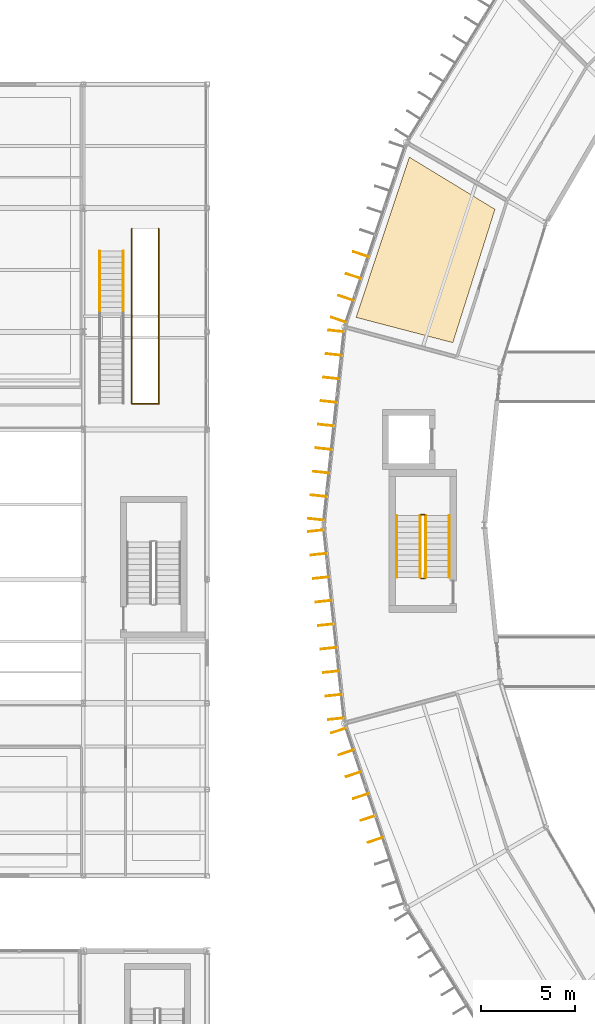
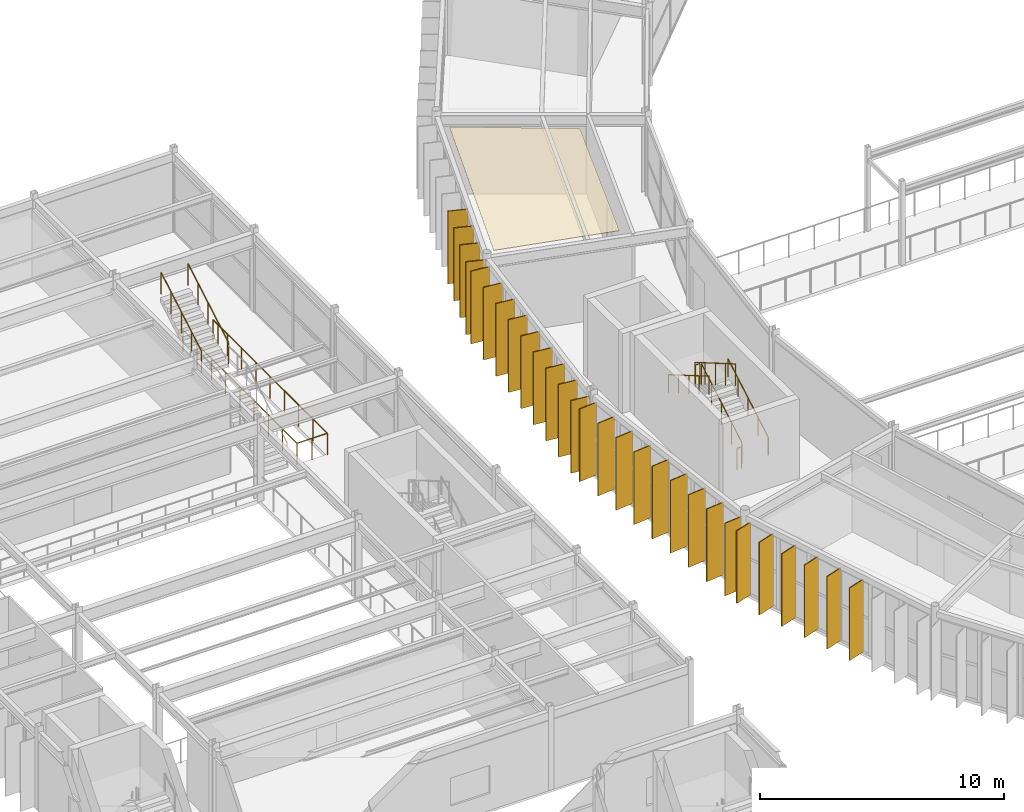
# One storey, part 136 of 148: 28 shading devices, 9 railings, 1 covering.
"""IFC4 building model written with IfcOpenShell, lengths in metres."""

from ifc_helpers import new_model, si_unit, direction, frame, origin, origin_2d, place, context, subcontext, project, spatial, polyline, rectangle, circle, outline, extrude, material, layer, layer_set, type_object, element, save


model = new_model("IFC4")

# Units and contexts
model_context = context("Model", 3, precision=1e-05, world=origin(), true_north=direction((0.0, 1.0)))
body_context = subcontext(model_context, "Body", "Model", "MODEL_VIEW")
ifc_project = project(units=[si_unit("LENGTHUNIT", "METRE"), si_unit("AREAUNIT", "SQUARE_METRE"), si_unit("VOLUMEUNIT", "CUBIC_METRE"), si_unit("PLANEANGLEUNIT", "RADIAN"), si_unit("MASSUNIT", "GRAM", prefix="KILO")], contexts=[model_context])

# Site, building, storey
site_placement = place(None, origin())
site = spatial("IfcSite", under=ifc_project, at=site_placement, CompositionType="ELEMENT")
building_placement = place(site_placement, origin())
building = spatial("IfcBuilding", under=site, at=building_placement, Name="Karori Crest Natural Sciences Institute", CompositionType="ELEMENT")
storey_placement = place(building_placement, frame((0.0, 0.0, 4.89990234375)))
storey = spatial("IfcBuildingStorey", under=building, at=storey_placement, Name="L01", CompositionType="ELEMENT", Elevation=4.89990234375)

# Covering
ifc_material_1 = material(Name="Acoustic mineral fibre ceiling tile")
ifc_layer_1 = layer(ifc_material_1, 0.02490234375, Name="Acoustic mineral fibre ceiling tile")
ifc_layer_set_1 = layer_set([ifc_layer_1], Name="Acoustic mineral fibre ceiling tile")
covering_type = type_object("IfcCoveringType", Name="CVT-CEIL", PredefinedType="CEILING", material=ifc_layer_set_1)
covering_placement = place(storey_placement, frame((0.0, 0.0, 3.705078125)))
element("IfcCovering", 1, at=covering_placement, inside=storey, type_object=covering_type, Name="Acoustic ceiling CLG-0059", PredefinedType="CEILING", context=body_context, shape_type="SweptSolid", body=[
    extrude(outline(polyline([(40.296630859375, 59.625244140625), (42.5400390625, 66.734130859375), (37.974365234375, 69.514892578125), (35.138427734375, 60.97265625), (40.296630859375, 59.625244140625)])), origin(), (0.0, 0.0, 1.0), 0.02490234375),
])

# Railings
ifc_material_2 = material(Name="Stainless steel 316 tubular handrail", Category="steel")
railing_type_1 = type_object("IfcRailingType", Name="RLT-HND", PredefinedType="HANDRAIL", material=ifc_material_2)
railing_1_placement = place(storey_placement, frame((40.10009765625, 47.10009765625, 0.175048828125)))
element("IfcRailing", 2, at=railing_1_placement, inside=storey, type_object=railing_type_1, Name="Stair handrail RL-0066", PredefinedType="HANDRAIL", context=body_context, shape_type="SweptSolid", body=[
    extrude(circle(Radius=0.02392578125, at=origin_2d()), frame((0.0, 0.0, 0.90087890625), z_axis=(0.0, 0.863760357493, 0.503902812876), x_axis=(-1.0, 0.0, 0.0)), (0.0, 0.0, 1.0), 3.8203125),
    extrude(circle(Radius=0.02099609375, at=origin_2d()), origin(), (0.0, 0.0, 1.0), 0.876953125),
    extrude(circle(Radius=0.02099609375, at=origin_2d()), frame((0.0, 0.824951171875, 0.481201171875)), (0.0, 0.0, 1.0), 0.876953125),
    extrude(circle(Radius=0.02099609375, at=origin_2d()), frame((0.0, 1.64990234375, 0.96240234375)), (0.0, 0.0, 1.0), 0.876953125),
    extrude(circle(Radius=0.02099609375, at=origin_2d()), frame((0.0, 2.474853515625, 1.44384765625)), (0.0, 0.0, 1.0), 0.876953125),
    extrude(circle(Radius=0.02099609375, at=origin_2d()), frame((0.0, 3.2998046875, 1.925048828125)), (0.0, 0.0, 1.0), 0.876953125),
])
railing_2_placement = place(storey_placement, frame((37.300048828125, 50.39990234375, 2.275146484375)))
element("IfcRailing", 3, at=railing_2_placement, inside=storey, type_object=railing_type_1, Name="Stair handrail RL-0067", PredefinedType="HANDRAIL", context=body_context, shape_type="SweptSolid", body=[
    extrude(circle(Radius=0.02392578125, at=origin_2d()), frame((0.0, 0.0, 0.90087890625), z_axis=(0.0, -0.863760357493, 0.503902812876), x_axis=(1.0, 0.0, 0.0)), (0.0, 0.0, 1.0), 3.8203125),
    extrude(circle(Radius=0.02099609375, at=origin_2d()), origin(), (0.0, 0.0, 1.0), 0.876953125),
    extrude(circle(Radius=0.02099609375, at=origin_2d()), frame((0.0, -0.824951171875, 0.481201171875)), (0.0, 0.0, 1.0), 0.876953125),
    extrude(circle(Radius=0.02099609375, at=origin_2d()), frame((0.0, -1.64990234375, 0.96240234375)), (0.0, 0.0, 1.0), 0.876953125),
    extrude(circle(Radius=0.02099609375, at=origin_2d()), frame((0.0, -2.474853515625, 1.44384765625)), (0.0, 0.0, 1.0), 0.876953125),
    extrude(circle(Radius=0.02099609375, at=origin_2d()), frame((0.0, -3.2998046875, 1.925048828125)), (0.0, 0.0, 1.0), 0.876953125),
])
ifc_material_3 = material(Name="Stainless steel 316 stair guard", Category="steel")
railing_type_2 = type_object("IfcRailingType", Name="RLT-STG", PredefinedType="GUARDRAIL", material=ifc_material_3)
railing_3_placement = place(storey_placement, frame((38.85009765625, 47.10009765625, 0.175048828125)))
element("IfcRailing", 4, at=railing_3_placement, inside=storey, type_object=railing_type_2, Name="Stair guard RL-0062", PredefinedType="GUARDRAIL", context=body_context, shape_type="SweptSolid", body=[
    extrude(circle(Radius=0.02392578125, at=origin_2d()), frame((0.0, 0.0, 1.076171875), z_axis=(0.0, 0.863760357493, 0.503902812876), x_axis=(-1.0, 0.0, 0.0)), (0.0, 0.0, 1.0), 3.8203125),
    extrude(circle(Radius=0.02099609375, at=origin_2d()), origin(), (0.0, 0.0, 1.0), 1.052001953125),
    extrude(circle(Radius=0.02099609375, at=origin_2d()), frame((0.0, 0.824951171875, 0.481201171875)), (0.0, 0.0, 1.0), 1.052001953125),
    extrude(circle(Radius=0.02099609375, at=origin_2d()), frame((0.0, 1.64990234375, 0.96240234375)), (0.0, 0.0, 1.0), 1.052001953125),
    extrude(circle(Radius=0.02099609375, at=origin_2d()), frame((0.0, 2.474853515625, 1.44384765625)), (0.0, 0.0, 1.0), 1.052001953125),
    extrude(circle(Radius=0.02099609375, at=origin_2d()), frame((0.0, 3.2998046875, 1.925048828125)), (0.0, 0.0, 1.0), 1.052001953125),
])
railing_4_placement = place(storey_placement, frame((38.800048828125, 50.449951171875, 2.10009765625)))
element("IfcRailing", 5, at=railing_4_placement, inside=storey, type_object=railing_type_2, Name="Stair guard RL-0063", PredefinedType="GUARDRAIL", context=body_context, shape_type="SweptSolid", body=[
    extrude(circle(Radius=0.02392578125, at=origin_2d()), frame((0.0, 0.0, 1.076171875), z_axis=(-1.0, 0.0, 0.0), x_axis=(0.0, -1.0, 0.0)), (0.0, 0.0, 1.0), 0.199951171875),
    extrude(circle(Radius=0.02099609375, at=origin_2d()), origin(), (0.0, 0.0, 1.0), 1.052001953125),
    extrude(circle(Radius=0.02099609375, at=origin_2d()), frame((-0.199951171875, 0.0, 0.0)), (0.0, 0.0, 1.0), 1.052001953125),
])
railing_5_placement = place(storey_placement, frame((38.550048828125, 50.39990234375, 2.275146484375)))
element("IfcRailing", 6, at=railing_5_placement, inside=storey, type_object=railing_type_2, Name="Stair guard RL-0064", PredefinedType="GUARDRAIL", context=body_context, shape_type="SweptSolid", body=[
    extrude(circle(Radius=0.02392578125, at=origin_2d()), frame((0.0, 0.0, 1.076171875), z_axis=(0.0, -0.863760357493, 0.503902812876), x_axis=(1.0, 0.0, 0.0)), (0.0, 0.0, 1.0), 3.8203125),
    extrude(circle(Radius=0.02099609375, at=origin_2d()), origin(), (0.0, 0.0, 1.0), 1.052001953125),
    extrude(circle(Radius=0.02099609375, at=origin_2d()), frame((0.0, -0.824951171875, 0.481201171875)), (0.0, 0.0, 1.0), 1.052001953125),
    extrude(circle(Radius=0.02099609375, at=origin_2d()), frame((0.0, -1.64990234375, 0.96240234375)), (0.0, 0.0, 1.0), 1.052001953125),
    extrude(circle(Radius=0.02099609375, at=origin_2d()), frame((0.0, -2.474853515625, 1.44384765625)), (0.0, 0.0, 1.0), 1.052001953125),
    extrude(circle(Radius=0.02099609375, at=origin_2d()), frame((0.0, -3.2998046875, 1.925048828125)), (0.0, 0.0, 1.0), 1.052001953125),
])
railing_6_placement = place(storey_placement, frame((38.800048828125, 47.050048828125, 0.0)))
element("IfcRailing", 7, at=railing_6_placement, inside=storey, type_object=railing_type_2, Name="Stair guard RL-0065", PredefinedType="GUARDRAIL", context=body_context, shape_type="SweptSolid", body=[
    extrude(circle(Radius=0.02392578125, at=origin_2d()), frame((0.0, 0.0, 1.076171875), z_axis=(-1.0, 0.0, 0.0), x_axis=(0.0, -1.0, 0.0)), (0.0, 0.0, 1.0), 0.199951171875),
    extrude(circle(Radius=0.02099609375, at=origin_2d()), origin(), (0.0, 0.0, 1.0), 1.052001953125),
    extrude(circle(Radius=0.02099609375, at=origin_2d()), frame((-0.199951171875, 0.0, 0.0)), (0.0, 0.0, 1.0), 1.052001953125),
])
railing_7_placement = place(storey_placement, frame((23.18505859375, 65.699951171875, 0.0)))
element("IfcRailing", 8, at=railing_7_placement, inside=storey, type_object=railing_type_2, Name="Feature stair well guard RL-0413", PredefinedType="GUARDRAIL", context=body_context, shape_type="SweptSolid", body=[
    extrude(circle(Radius=0.02392578125, at=origin_2d()), frame((0.0, 0.0, 1.076171875), z_axis=(0.0, -1.0, 0.0), x_axis=(1.0, 0.0, 0.0)), (0.0, 0.0, 1.0), 9.33984375),
    extrude(circle(Radius=0.02392578125, at=origin_2d()), frame((0.0, -9.33984375, 1.076171875), z_axis=(1.0, 0.0, 0.0), x_axis=(0.0, 1.0, 0.0)), (0.0, 0.0, 1.0), 1.429931640625),
    extrude(circle(Radius=0.02392578125, at=origin_2d()), frame((1.429931640625, -9.33984375, 1.076171875), z_axis=(0.0, 1.0, 0.0), x_axis=(-1.0, 0.0, 0.0)), (0.0, 0.0, 1.0), 9.33984375),
    extrude(circle(Radius=0.02099609375, at=origin_2d()), origin(), (0.0, 0.0, 1.0), 1.052001953125),
    extrude(circle(Radius=0.02099609375, at=origin_2d()), frame((0.0, -1.16748046875, 0.0)), (0.0, 0.0, 1.0), 1.052001953125),
    extrude(circle(Radius=0.02099609375, at=origin_2d()), frame((0.0, -2.3349609375, 0.0)), (0.0, 0.0, 1.0), 1.052001953125),
    extrude(circle(Radius=0.02099609375, at=origin_2d()), frame((0.0, -3.50244140625, 0.0)), (0.0, 0.0, 1.0), 1.052001953125),
    extrude(circle(Radius=0.02099609375, at=origin_2d()), frame((0.0, -4.669921875, 0.0)), (0.0, 0.0, 1.0), 1.052001953125),
    extrude(circle(Radius=0.02099609375, at=origin_2d()), frame((0.0, -5.83740234375, 0.0)), (0.0, 0.0, 1.0), 1.052001953125),
    extrude(circle(Radius=0.02099609375, at=origin_2d()), frame((0.0, -7.0048828125, 0.0)), (0.0, 0.0, 1.0), 1.052001953125),
    extrude(circle(Radius=0.02099609375, at=origin_2d()), frame((0.0, -8.17236328125, 0.0)), (0.0, 0.0, 1.0), 1.052001953125),
    extrude(circle(Radius=0.02099609375, at=origin_2d()), frame((0.0, -9.33984375, 0.0)), (0.0, 0.0, 1.0), 1.052001953125),
    extrude(circle(Radius=0.02099609375, at=origin_2d()), frame((0.71484375, -9.33984375, 0.0)), (0.0, 0.0, 1.0), 1.052001953125),
    extrude(circle(Radius=0.02099609375, at=origin_2d()), frame((1.429931640625, -9.33984375, 0.0)), (0.0, 0.0, 1.0), 1.052001953125),
    extrude(circle(Radius=0.02099609375, at=origin_2d()), frame((1.429931640625, -8.17236328125, 0.0)), (0.0, 0.0, 1.0), 1.052001953125),
    extrude(circle(Radius=0.02099609375, at=origin_2d()), frame((1.429931640625, -7.0048828125, 0.0)), (0.0, 0.0, 1.0), 1.052001953125),
    extrude(circle(Radius=0.02099609375, at=origin_2d()), frame((1.429931640625, -5.83740234375, 0.0)), (0.0, 0.0, 1.0), 1.052001953125),
    extrude(circle(Radius=0.02099609375, at=origin_2d()), frame((1.429931640625, -4.669921875, 0.0)), (0.0, 0.0, 1.0), 1.052001953125),
    extrude(circle(Radius=0.02099609375, at=origin_2d()), frame((1.429931640625, -3.50244140625, 0.0)), (0.0, 0.0, 1.0), 1.052001953125),
    extrude(circle(Radius=0.02099609375, at=origin_2d()), frame((1.429931640625, -2.3349609375, 0.0)), (0.0, 0.0, 1.0), 1.052001953125),
    extrude(circle(Radius=0.02099609375, at=origin_2d()), frame((1.429931640625, -1.16748046875, 0.0)), (0.0, 0.0, 1.0), 1.052001953125),
    extrude(circle(Radius=0.02099609375, at=origin_2d()), frame((1.429931640625, 0.0, 0.0)), (0.0, 0.0, 1.0), 1.052001953125),
])
for number, where, name in (
    (9, (21.465087890625, 61.199951171875, 2.275146484375), "Feature stair guard RL-0416"),
    (10, (22.735107421875, 61.199951171875, 2.275146484375), "Feature stair guard RL-0419"),
):
    element("IfcRailing", number, at=place(storey_placement, frame(where)), inside=storey, type_object=railing_type_2, Name=name, PredefinedType="GUARDRAIL", context=body_context, shape_type="SweptSolid", body=[
        extrude(circle(Radius=0.02392578125, at=origin_2d()), frame((0.0, 0.0, 1.076171875), z_axis=(0.0, 0.863776583165, 0.503874998761), x_axis=(-1.0, 0.0, 0.0)), (0.0, 0.0, 1.0), 3.820556640625),
        extrude(circle(Radius=0.02099609375, at=origin_2d()), origin(), (0.0, 0.0, 1.0), 1.052001953125),
        extrude(circle(Radius=0.02099609375, at=origin_2d()), frame((0.0, 0.824951171875, 0.481201171875)), (0.0, 0.0, 1.0), 1.052001953125),
        extrude(circle(Radius=0.02099609375, at=origin_2d()), frame((0.0, 1.64990234375, 0.96240234375)), (0.0, 0.0, 1.0), 1.052001953125),
        extrude(circle(Radius=0.02099609375, at=origin_2d()), frame((0.0, 2.47509765625, 1.44384765625)), (0.0, 0.0, 1.0), 1.052001953125),
        extrude(circle(Radius=0.02099609375, at=origin_2d()), frame((0.0, 3.300048828125, 1.925048828125)), (0.0, 0.0, 1.0), 1.052001953125),
    ])

# Shading devices
ifc_material_4 = material(Name="Anodised architectural aluminium 6063-T6", Category="aluminium")
ifc_layer_2 = layer(ifc_material_4, 0.044921875, Name="Anodised architectural aluminium 6063-T6")
ifc_layer_set_2 = layer_set([ifc_layer_2], Name="Anodised architectural aluminium 6063-T6")
shading_device_type = type_object("IfcShadingDeviceType", Name="SDT-FIN", PredefinedType="USERDEFINED", material=ifc_layer_set_2)
for number, where, z_axis, x_axis, name in (
    (11, (34.21826171875, 60.836669921875, 0.0), (0.0, 0.0, 1.0), (-0.948196204549, 0.317685312343, 0.0), "Vertical solar fin FN-0085"),
    (12, (34.60888671875, 62.003173828125, 0.0), (0.0, 0.0, 1.0), (-0.948196204549, 0.317685312343, 0.0), "Vertical solar fin FN-0086"),
    (13, (35.0, 63.169677734375, 0.0), (0.0, 0.0, 1.0), (-0.948196204549, 0.317685312343, 0.0), "Vertical solar fin FN-0087"),
    (14, (35.390625, 64.336181640625, 0.0), (0.0, 0.0, 1.0), (-0.948196204549, 0.317685312343, 0.0), "Vertical solar fin FN-0088"),
    (15, (33.02001953125, 50.204345703125, 0.0), (0.0, 0.0, 1.0), (-0.994378488506, 0.105884000668, 0.0), "Vertical solar fin FN-0094"),
    (16, (33.15380859375, 51.45947265625, 0.0), (0.0, 0.0, 1.0), (-0.994378488506, 0.105884000668, 0.0), "Vertical solar fin FN-0095"),
    (17, (33.287353515625, 52.71435546875, 0.0), (0.0, 0.0, 1.0), (-0.994378488506, 0.105884000668, 0.0), "Vertical solar fin FN-0096"),
    (18, (33.4208984375, 53.969482421875, 0.0), (0.0, 0.0, 1.0), (-0.994378488506, 0.105884000668, 0.0), "Vertical solar fin FN-0097"),
    (19, (33.5546875, 55.224609375, 0.0), (0.0, 0.0, 1.0), (-0.994378488506, 0.105884000668, 0.0), "Vertical solar fin FN-0098"),
    (20, (33.688232421875, 56.4794921875, 0.0), (0.0, 0.0, 1.0), (-0.994378488506, 0.105884000668, 0.0), "Vertical solar fin FN-0099"),
    (21, (33.822021484375, 57.734619140625, 0.0), (0.0, 0.0, 1.0), (-0.994378488506, 0.105884000668, 0.0), "Vertical solar fin FN-0100"),
    (22, (33.95556640625, 58.989501953125, 0.0), (0.0, 0.0, 1.0), (-0.994378488506, 0.105884000668, 0.0), "Vertical solar fin FN-0101"),
    (23, (34.089111328125, 60.24462890625, 0.0), (0.0, 0.0, 1.0), (-0.994378488506, 0.105884000668, 0.0), "Vertical solar fin FN-0102"),
    (24, (34.08740234375, 39.571044921875, 0.0), (0.0, 0.0, 1.0), (-0.994378673306, -0.10588226515, 0.0), "Vertical solar fin FN-0103"),
    (25, (33.9541015625, 40.82421875, 0.0), (0.0, 0.0, 1.0), (-0.994378673306, -0.10588226515, 0.0), "Vertical solar fin FN-0104"),
    (26, (33.82080078125, 42.0771484375, 0.0), (0.0, 0.0, 1.0), (-0.994378673306, -0.10588226515, 0.0), "Vertical solar fin FN-0105"),
    (27, (33.687255859375, 43.330322265625, 0.0), (0.0, 0.0, 1.0), (-0.994378673306, -0.10588226515, 0.0), "Vertical solar fin FN-0106"),
    (28, (33.5537109375, 44.583251953125, 0.0), (0.0, 0.0, 1.0), (-0.994378673306, -0.10588226515, 0.0), "Vertical solar fin FN-0107"),
    (29, (33.42041015625, 45.83642578125, 0.0), (0.0, 0.0, 1.0), (-0.994378673306, -0.10588226515, 0.0), "Vertical solar fin FN-0108"),
    (30, (33.286865234375, 47.089599609375, 0.0), (0.0, 0.0, 1.0), (-0.994378673306, -0.10588226515, 0.0), "Vertical solar fin FN-0109"),
    (31, (33.153564453125, 48.342529296875, 0.0), (0.0, 0.0, 1.0), (-0.994378673306, -0.10588226515, 0.0), "Vertical solar fin FN-0110"),
    (32, (33.02001953125, 49.595703125, 0.0), (0.0, 0.0, 1.0), (-0.994378673306, -0.10588226515, 0.0), "Vertical solar fin FN-0111"),
    (33, (36.177490234375, 33.11572265625, 0.0), (0.0, 0.0, 1.0), (-0.948196204549, -0.317685312343, 0.0), "Vertical solar fin FN-0115"),
    (34, (35.78662109375, 34.2822265625, 0.0), (0.0, 0.0, 1.0), (-0.948196204549, -0.317685312343, 0.0), "Vertical solar fin FN-0116"),
    (35, (35.395751953125, 35.448974609375, 0.0), (0.0, 0.0, 1.0), (-0.948196204549, -0.317685312343, 0.0), "Vertical solar fin FN-0117"),
    (36, (35.0048828125, 36.615478515625, 0.0), (0.0, 0.0, 1.0), (-0.948196204549, -0.317685312343, 0.0), "Vertical solar fin FN-0118"),
    (37, (34.614013671875, 37.781982421875, 0.0), (0.0, 0.0, 1.0), (-0.948196204549, -0.317685312343, 0.0), "Vertical solar fin FN-0119"),
    (38, (34.22314453125, 38.948486328125, 0.0), (0.0, 0.0, 1.0), (-0.948196204549, -0.317685312343, 0.0), "Vertical solar fin FN-0120"),
):
    element("IfcShadingDevice", number, at=place(storey_placement, frame(where, z_axis=z_axis, x_axis=x_axis)), inside=storey, type_object=shading_device_type, Name=name, ObjectType="SOLAR_FIN", PredefinedType="USERDEFINED", context=body_context, shape_type="SweptSolid", body=[
        extrude(rectangle(XDim=0.85009765625, YDim=0.044921875, at=origin_2d()), origin(), (0.0, 0.0, 1.0), 3.625),
    ])

save(model, "model.ifc")
